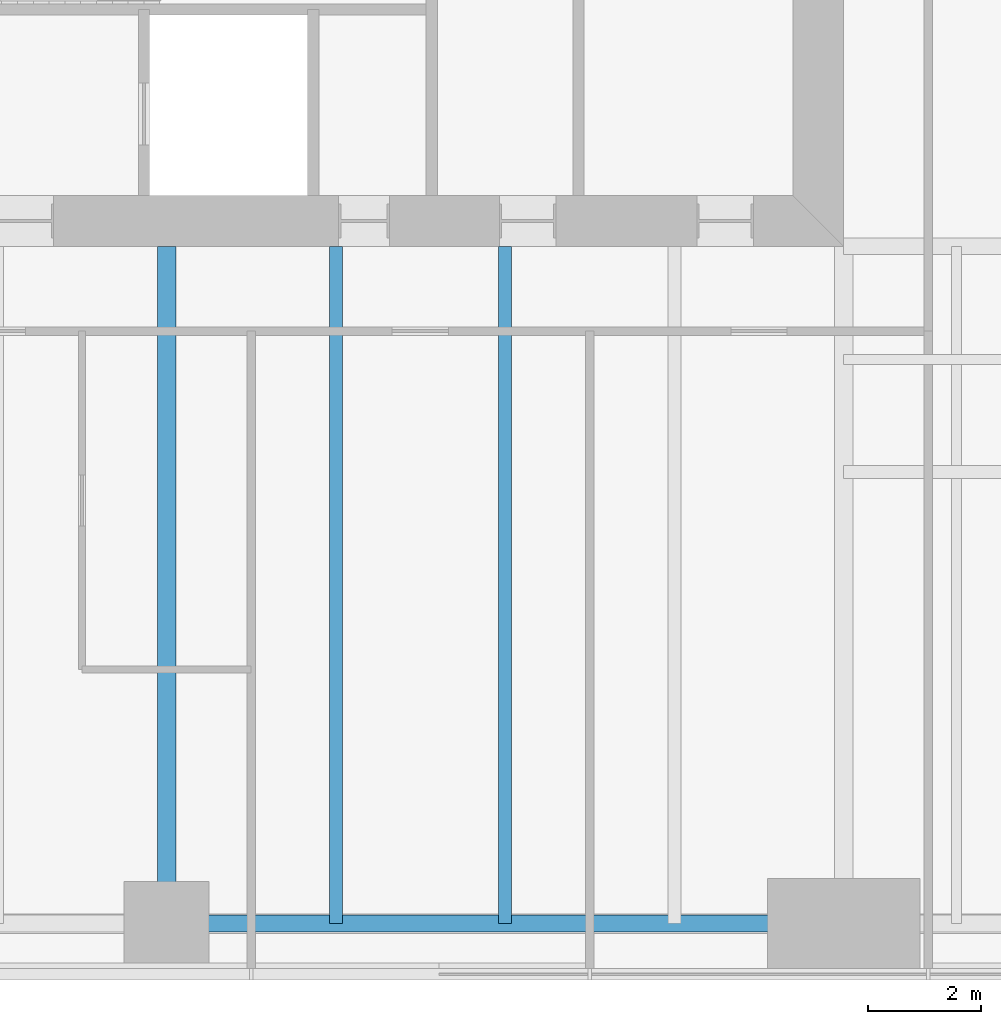
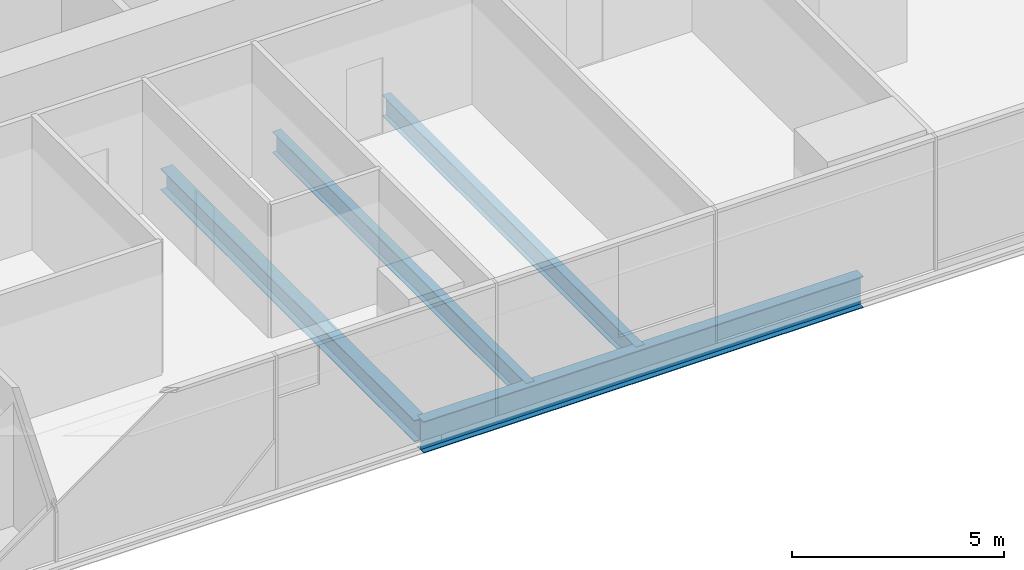
# One storey, part 3 of 13: 4 beams.
"""IFC4 building model written with IfcOpenShell, lengths in metres."""

from ifc_helpers import new_model, si_unit, direction, frame, origin, origin_2d, place, context, subcontext, project, spatial, i_section, extrude, material, material_profile, profile_set, type_object, element, save


model = new_model("IFC4")

# Units and contexts
model_context = context("Model", 3, precision=1e-05, world=origin(), true_north=direction((0.0, 1.0)))
body_context = subcontext(model_context, "Body", "Model", "MODEL_VIEW")
ifc_project = project(units=[si_unit("LENGTHUNIT", "METRE"), si_unit("AREAUNIT", "SQUARE_METRE"), si_unit("VOLUMEUNIT", "CUBIC_METRE"), si_unit("PLANEANGLEUNIT", "RADIAN"), si_unit("MASSUNIT", "GRAM", prefix="KILO")], contexts=[model_context])

# Site, building, storey
site_placement = place(None, origin())
site = spatial("IfcSite", under=ifc_project, at=site_placement, CompositionType="ELEMENT")
building_placement = place(site_placement, origin())
building = spatial("IfcBuilding", under=site, at=building_placement, Name="Fenwick Lantern Interchange", CompositionType="ELEMENT")
storey_placement = place(building_placement, frame((0.0, 0.0, 39.0)))
storey = spatial("IfcBuildingStorey", under=building, at=storey_placement, Name="L08", CompositionType="ELEMENT", Elevation=39.0)

# Beams
ifc_material = material(Name="Steel ASTM A992 Grade 50", Category="steel")
ifc_material_profile_1 = material_profile(ifc_material, i_section(OverallWidth=0.3046875, OverallDepth=0.911865234375, WebThickness=0.015869140625, FlangeThickness=0.02392578125, at=origin_2d()), Name="W36X150")
ifc_profile_set_1 = profile_set([ifc_material_profile_1], Name="Steel ASTM A992 Grade 50")
beam_type_1 = type_object("IfcBeamType", Name="EDGE BEAM W36X150", PredefinedType="SPANDREL", material=ifc_profile_set_1)
beam_1_placement = place(storey_placement, frame((25.0, 1.0, -0.60595703125), z_axis=(1.0, 0.0, 0.0), x_axis=(0.0, 1.0, 0.0)))
element("IfcBeam", 1, at=beam_1_placement, inside=storey, type_object=beam_type_1, Name="L08/FR/S/EB3", PredefinedType="SPANDREL", context=body_context, shape_type="SweptSolid", body=[
    extrude(i_section(OverallWidth=0.3046875, OverallDepth=0.911865234375, WebThickness=0.015869140625, FlangeThickness=0.02392578125, at=origin_2d()), origin(), (0.0, 0.0, 1.0), 12.0),
])
ifc_material_profile_2 = material_profile(ifc_material, i_section(OverallWidth=0.22900390625, OverallDepth=0.612060546875, WebThickness=0.011962890625, FlangeThickness=0.01953125, at=origin_2d()), Name="W24X84")
ifc_profile_set_2 = profile_set([ifc_material_profile_2], Name="Steel ASTM A992 Grade 50")
beam_type_2 = type_object("IfcBeamType", Name="FLOOR BEAM W24X84", PredefinedType="BEAM", material=ifc_profile_set_2)
for number, where, z_axis, x_axis, name in (
    (2, (28.0, 1.0, -0.4560546875), (0.0, 1.0, 0.0), (-1.0, 0.0, 0.0), "L08/FR/S/R06"),
    (3, (31.0, 1.0, -0.4560546875), (0.0, 1.0, 0.0), (-1.0, 0.0, 0.0), "L08/FR/S/R07"),
):
    element("IfcBeam", number, at=place(storey_placement, frame(where, z_axis=z_axis, x_axis=x_axis)), inside=storey, type_object=beam_type_2, Name=name, PredefinedType="BEAM", context=body_context, shape_type="SweptSolid", body=[
        extrude(i_section(OverallWidth=0.22900390625, OverallDepth=0.612060546875, WebThickness=0.011962890625, FlangeThickness=0.01953125, at=origin_2d()), origin(), (0.0, 0.0, 1.0), 12.0),
    ])
ifc_material_profile_3 = material_profile(ifc_material, i_section(OverallWidth=0.32763671875, OverallDepth=0.622314453125, WebThickness=0.015380859375, FlangeThickness=0.0244140625, at=origin_2d()), Name="W24X131")
ifc_profile_set_3 = profile_set([ifc_material_profile_3], Name="Steel ASTM A992 Grade 50")
beam_type_3 = type_object("IfcBeamType", Name="MOMENT-CONNECTED GIRDER W24X131", PredefinedType="BEAM", material=ifc_profile_set_3)
beam_2_placement = place(storey_placement, frame((25.0, 1.0, -0.461181640625), z_axis=(0.0, 1.0, 0.0), x_axis=(-1.0, 0.0, 0.0)))
element("IfcBeam", 4, at=beam_2_placement, inside=storey, type_object=beam_type_3, Name="L08/FR/S/R05", PredefinedType="BEAM", context=body_context, shape_type="SweptSolid", body=[
    extrude(i_section(OverallWidth=0.32763671875, OverallDepth=0.622314453125, WebThickness=0.015380859375, FlangeThickness=0.0244140625, at=origin_2d()), origin(), (0.0, 0.0, 1.0), 12.0),
])

save(model, "model.ifc")
